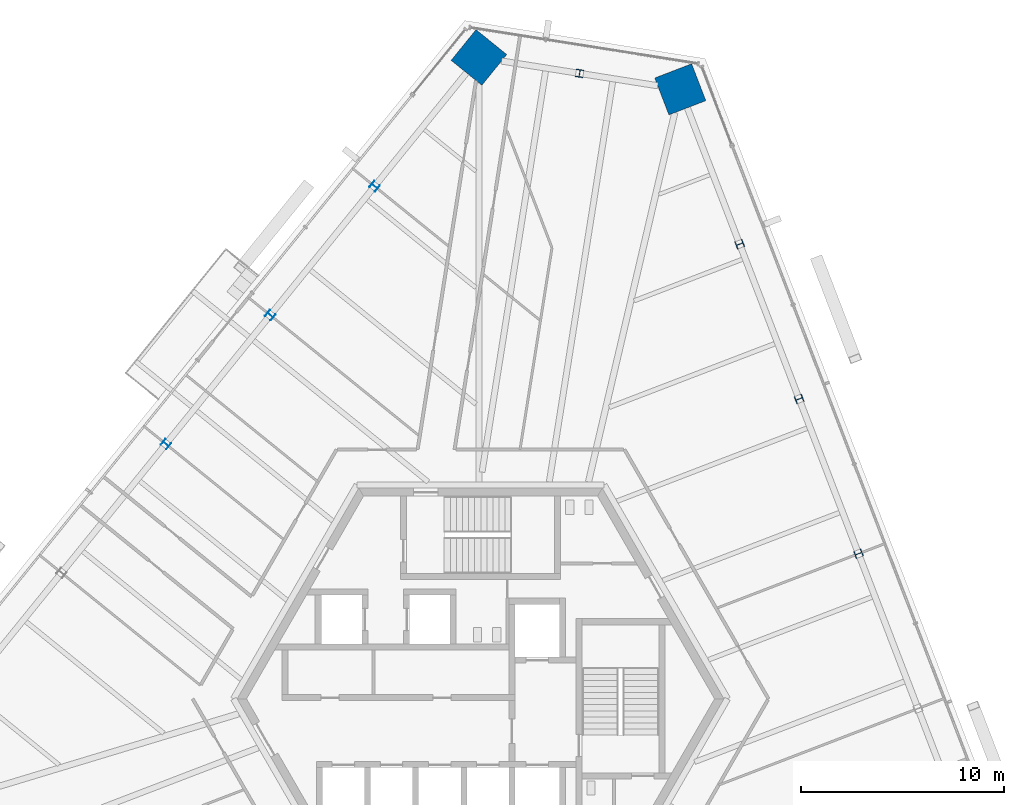
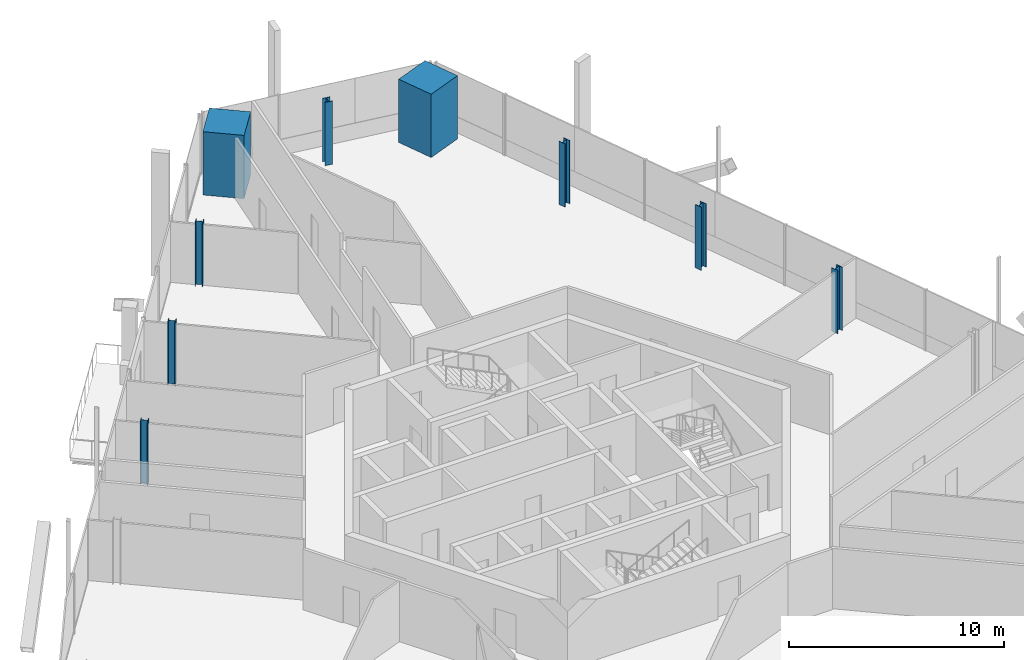
# One storey, part 3 of 21: 9 columns.
"""IFC4 building model written with IfcOpenShell, lengths in metres."""

from ifc_helpers import new_model, si_unit, direction, frame, origin, origin_2d, place, context, subcontext, project, spatial, rectangle, i_section, extrude, source, transform, mapped, material, material_profile, profile_set, type_object, element, save


model = new_model("IFC4")

# Units and contexts
model_context = context("Model", 3, precision=1e-05, world=origin(), true_north=direction((0.0, 1.0)))
body_context = subcontext(model_context, "Body", "Model", "MODEL_VIEW")
ifc_project = project(units=[si_unit("LENGTHUNIT", "METRE"), si_unit("AREAUNIT", "SQUARE_METRE"), si_unit("VOLUMEUNIT", "CUBIC_METRE"), si_unit("PLANEANGLEUNIT", "RADIAN"), si_unit("MASSUNIT", "GRAM", prefix="KILO")], contexts=[model_context])

# Site, building, storey
site_placement = place(None, origin())
site = spatial("IfcSite", under=ifc_project, at=site_placement, CompositionType="ELEMENT")
building_placement = place(site_placement, origin())
building = spatial("IfcBuilding", under=site, at=building_placement, Name="Triune Harvest Tower", CompositionType="ELEMENT")
storey_placement = place(building_placement, frame((0.0, 0.0, 146.10009765625)))
storey = spatial("IfcBuildingStorey", under=building, at=storey_placement, Name="L37", CompositionType="ELEMENT", Elevation=146.10009765625)

# Columns
ifc_material_1 = material(Name="Concrete 70 MPa", Category="concrete")
ifc_material_profile_1 = material_profile(ifc_material_1, rectangle(XDim=1.949951171875, YDim=1.949951171875, at=origin_2d()), Name="Composite 1950x1950")
ifc_profile_set_1 = profile_set([ifc_material_profile_1], Name="Concrete 70 MPa")
column_type_1 = type_object("IfcColumnType", Name="MC-4 Mega column Composite 1950x1950", PredefinedType="COLUMN", material=ifc_profile_set_1)
shared_shape_1 = source(origin(), body_context, "Body", "SweptSolid", [
    extrude(rectangle(XDim=1.949951171875, YDim=1.949951171875, at=origin_2d()), origin(), (0.0, 0.0, 1.0), 3.599853515625),
])
for number, where, z_axis, x_axis, name in (
    (1, (9.846923828125, 30.0498046875, 0.0), (0.0, 0.0, 1.0), (-0.358367949545, 0.933580426497, 0.0), "col/L37/M6"),
    (2, (-0.0791015625, 31.621826171875, 0.0), (0.0, 0.0, 1.0), (-0.629321747424, -0.777144863084, 0.0), "col/L37/M8"),
):
    element("IfcColumn", number, at=place(storey_placement, frame(where, z_axis=z_axis, x_axis=x_axis)), inside=storey, type_object=column_type_1, Name=name, PredefinedType="COLUMN", context=body_context, shape_type="MappedRepresentation", body=[
        mapped(shared_shape_1, transform((0.0, 0.0, 0.0), scale=1.0)),
    ])
ifc_material_2 = material(Name="Steel ASTM A992 Gr 50", Category="steel")
ifc_material_profile_2 = material_profile(ifc_material_2, i_section(OverallWidth=0.373291015625, OverallDepth=0.373291015625, WebThickness=0.016357421875, FlangeThickness=0.026123046875, at=origin_2d()), Name="W14x132")
ifc_profile_set_2 = profile_set([ifc_material_profile_2], Name="Steel ASTM A992 Gr 50")
column_type_2 = type_object("IfcColumnType", Name="PC-4 Perimeter column W14x132", PredefinedType="COLUMN", material=ifc_profile_set_2)
shared_shape_2 = source(origin(), body_context, "Body", "SweptSolid", [
    extrude(i_section(OverallWidth=0.373291015625, OverallDepth=0.373291015625, WebThickness=0.016357421875, FlangeThickness=0.026123046875, at=origin_2d()), origin(), (0.0, 0.0, 1.0), 3.599853515625),
])
for number, where, z_axis, x_axis, name in (
    (3, (18.635986328125, 7.15380859375, 0.0), (0.0, 0.0, 1.0), (-0.358367949545, 0.933580426497, 0.0), "col/L37/P3"),
    (4, (15.706298828125, 14.78564453125, 0.0), (0.0, 0.0, 1.0), (-0.358367949545, 0.933580426497, 0.0), "col/L37/P4"),
    (5, (12.776611328125, 22.417724609375, 0.0), (0.0, 0.0, 1.0), (-0.358367949545, 0.933580426497, 0.0), "col/L37/P5"),
    (6, (4.8837890625, 30.8359375, 0.0), (0.0, 0.0, 1.0), (-0.987688340595, 0.15643446504, 0.0), "col/L37/P7"),
    (7, (-5.223876953125, 25.268798828125, 0.0), (0.0, 0.0, 1.0), (-0.629321747424, -0.777144863084, 0.0), "col/L37/P9"),
    (8, (-10.36865234375, 18.91552734375, 0.0), (0.0, 0.0, 1.0), (-0.629321747424, -0.777144863084, 0.0), "col/L37/P10"),
    (9, (-15.51318359375, 12.5625, 0.0), (0.0, 0.0, 1.0), (-0.629321747424, -0.777144863084, 0.0), "col/L37/P11"),
):
    element("IfcColumn", number, at=place(storey_placement, frame(where, z_axis=z_axis, x_axis=x_axis)), inside=storey, type_object=column_type_2, Name=name, PredefinedType="COLUMN", context=body_context, shape_type="MappedRepresentation", body=[
        mapped(shared_shape_2, transform((0.0, 0.0, 0.0), scale=1.0)),
    ])

save(model, "model.ifc")
